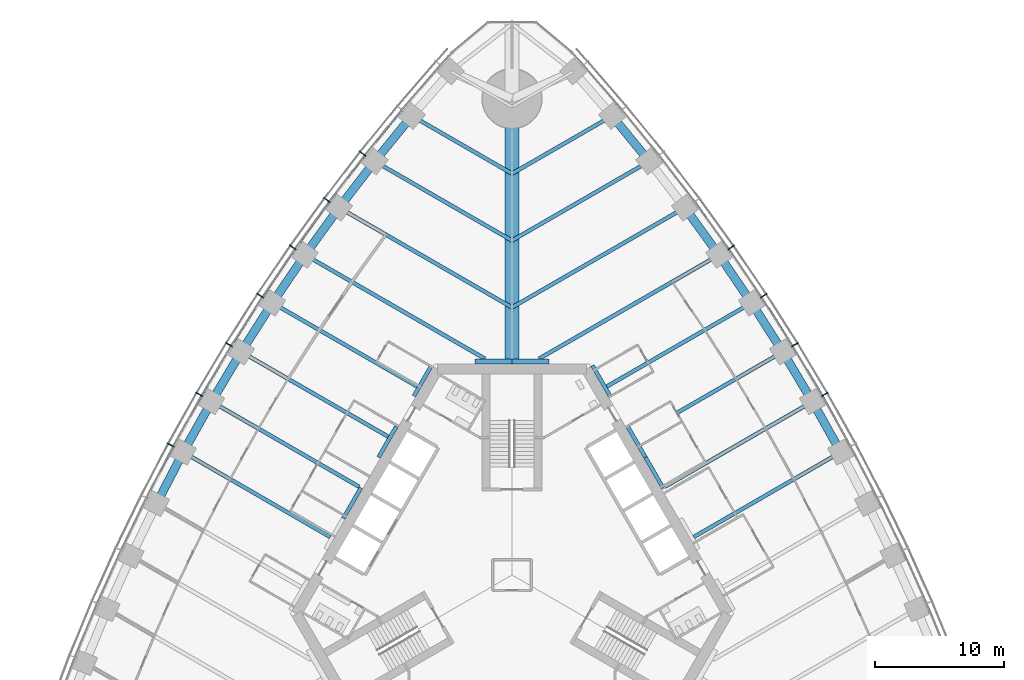
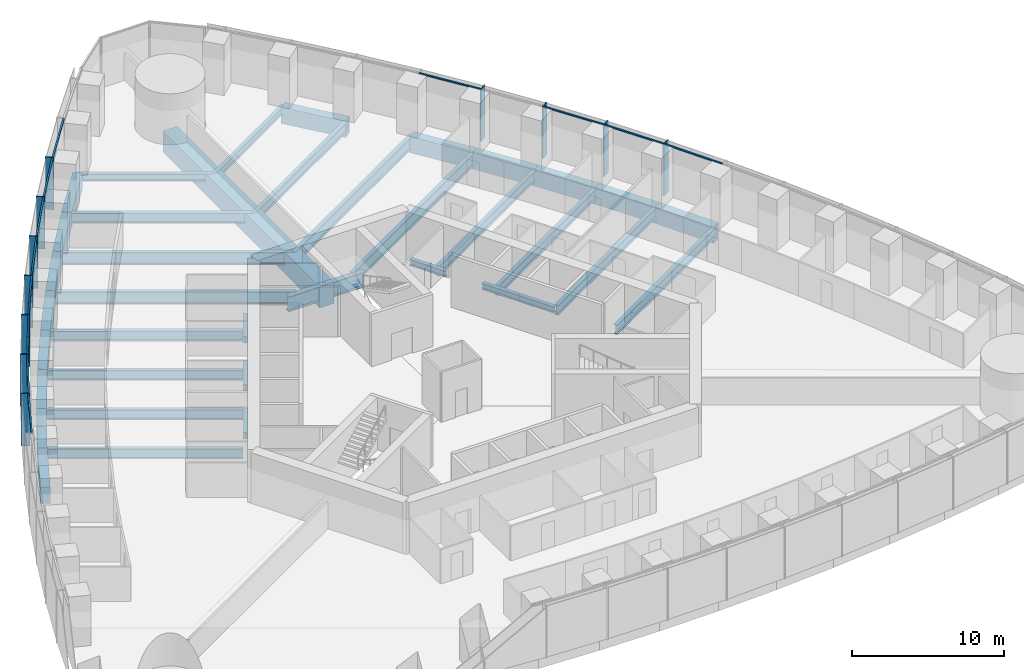
# One storey, part 4 of 19: 39 beams, 23 members, 2 elements without a shape of their own.
"""IFC4 building model written with IfcOpenShell, lengths in metres."""

from ifc_helpers import new_model, si_unit, direction, frame, origin, origin_2d, place, context, subcontext, project, spatial, rectangle, i_section, extrude, material, material_profile, profile_set, type_object, element, aggregate, save


model = new_model("IFC4")

# Units and contexts
model_context = context("Model", 3, precision=1e-05, world=origin(), true_north=direction((0.0, 1.0)))
body_context = subcontext(model_context, "Body", "Model", "MODEL_VIEW")
ifc_project = project(units=[si_unit("LENGTHUNIT", "METRE"), si_unit("AREAUNIT", "SQUARE_METRE"), si_unit("VOLUMEUNIT", "CUBIC_METRE"), si_unit("PLANEANGLEUNIT", "RADIAN"), si_unit("MASSUNIT", "GRAM", prefix="KILO")], contexts=[model_context])

# Site, building, storey
site_placement = place(None, origin())
site = spatial("IfcSite", under=ifc_project, at=site_placement, CompositionType="ELEMENT")
building_placement = place(site_placement, origin())
building = spatial("IfcBuilding", under=site, at=building_placement, Name="Trefoil Bronze Tower", CompositionType="ELEMENT")
storey_placement = place(building_placement, frame((0.0, 0.0, 20.699951171875)))
storey = spatial("IfcBuildingStorey", under=building, at=storey_placement, Name="L04", CompositionType="ELEMENT", Elevation=20.699951171875)

# Curtain wall, members
ifc_material_1 = material(Name="Tinted solar-control glass", Category="glass")
curtain_wall_type = type_object("IfcCurtainWallType", Name="Bronze office curtain wall", PredefinedType="USERDEFINED", material=ifc_material_1)
curtain_wall_1_placement = place(storey_placement, origin())
curtain_wall_1 = element("IfcCurtainWall", 1, at=curtain_wall_1_placement, inside=storey, type_object=curtain_wall_type, Name="CW-A L04 F2", ObjectType="CURTAIN WALL", PredefinedType="USERDEFINED")
ifc_material_2 = material(Name="Bronze-finish aluminium", Category="aluminium")
ifc_material_profile_1 = material_profile(ifc_material_2, rectangle(XDim=0.60009765625, YDim=0.080078125, at=origin_2d()), Name="CW-A mullion")
ifc_profile_set_1 = profile_set([ifc_material_profile_1], Name="Bronze-finish aluminium")
member_type_1 = type_object("IfcMemberType", Name="Bronze office curtain wall mullion", PredefinedType="MULLION", material=ifc_profile_set_1)
member_1_placement = place(storey_placement, frame((24.291015625, 14.0244140625, 0.0), z_axis=(0.0, 0.0, 1.0), x_axis=(-0.866025403784, -0.5, 0.0)))
member_1 = element("IfcMember", 2, at=member_1_placement, type_object=member_type_1, Name="CW-A L04 F2 mullion 9", PredefinedType="MULLION", context=body_context, shape_type="SweptSolid", body=[
    extrude(rectangle(XDim=0.60009765625, YDim=0.080078125, at=origin_2d()), origin(), (0.0, 0.0, 1.0), 4.179931640625),
])
member_2_placement = place(storey_placement, frame((21.97998046875, 17.896240234375, 0.0), z_axis=(0.0, 0.0, 1.0), x_axis=(-0.851149783004, -0.524922896141, 0.0)))
member_2 = element("IfcMember", 3, at=member_2_placement, type_object=member_type_1, Name="CW-A L04 F2 mullion 10", PredefinedType="MULLION", context=body_context, shape_type="SweptSolid", body=[
    extrude(rectangle(XDim=0.60009765625, YDim=0.080078125, at=origin_2d()), origin(), (0.0, 0.0, 1.0), 4.179931640625),
])
member_3_placement = place(storey_placement, frame((19.555419921875, 21.70263671875, 0.0), z_axis=(0.0, 0.0, 1.0), x_axis=(-0.835543651684, -0.549424067665, 0.0)))
member_3 = element("IfcMember", 4, at=member_3_placement, type_object=member_type_1, Name="CW-A L04 F2 mullion 11", PredefinedType="MULLION", context=body_context, shape_type="SweptSolid", body=[
    extrude(rectangle(XDim=0.60009765625, YDim=0.080078125, at=origin_2d()), origin(), (0.0, 0.0, 1.0), 4.179931640625),
])
member_4_placement = place(storey_placement, frame((17.01708984375, 25.443359375, 0.0), z_axis=(0.0, 0.0, 1.0), x_axis=(-0.819204207116, -0.573501932903, 0.0)))
member_4 = element("IfcMember", 5, at=member_4_placement, type_object=member_type_1, Name="CW-A L04 F2 mullion 12", PredefinedType="MULLION", context=body_context, shape_type="SweptSolid", body=[
    extrude(rectangle(XDim=0.60009765625, YDim=0.080078125, at=origin_2d()), origin(), (0.0, 0.0, 1.0), 4.179931640625),
])

curtain_wall_2_placement = place(storey_placement, origin())
curtain_wall_2 = element("IfcCurtainWall", 6, at=curtain_wall_2_placement, inside=storey, type_object=curtain_wall_type, Name="CW-A L04 F3", ObjectType="CURTAIN WALL", PredefinedType="USERDEFINED")
member_5_placement = place(storey_placement, frame((-11.595458984375, 32.7255859375, 0.0), z_axis=(0.0, 0.0, 1.0), x_axis=(0.784304615744, -0.620375910011, 0.0)))
member_5 = element("IfcMember", 7, at=member_5_placement, type_object=member_type_1, Name="CW-A L04 F3 mullion 4", PredefinedType="MULLION", context=body_context, shape_type="SweptSolid", body=[
    extrude(rectangle(XDim=0.60009765625, YDim=0.080078125, at=origin_2d()), origin(), (0.0, 0.0, 1.0), 4.179931640625),
])
member_6_placement = place(storey_placement, frame((-14.364013671875, 29.117919921875, 0.0), z_axis=(0.0, 0.0, 1.0), x_axis=(0.802126748469, -0.59715381552, 0.0)))
member_6 = element("IfcMember", 8, at=member_6_placement, type_object=member_type_1, Name="CW-A L04 F3 mullion 5", PredefinedType="MULLION", context=body_context, shape_type="SweptSolid", body=[
    extrude(rectangle(XDim=0.60009765625, YDim=0.080078125, at=origin_2d()), origin(), (0.0, 0.0, 1.0), 4.179931640625),
])
member_7_placement = place(storey_placement, frame((-17.01708984375, 25.443359375, 0.0), z_axis=(0.0, 0.0, 1.0), x_axis=(0.819204207116, -0.573501932903, 0.0)))
member_7 = element("IfcMember", 9, at=member_7_placement, type_object=member_type_1, Name="CW-A L04 F3 mullion 6", PredefinedType="MULLION", context=body_context, shape_type="SweptSolid", body=[
    extrude(rectangle(XDim=0.60009765625, YDim=0.080078125, at=origin_2d()), origin(), (0.0, 0.0, 1.0), 4.179931640625),
])
member_8_placement = place(storey_placement, frame((-19.555419921875, 21.70263671875, 0.0), z_axis=(0.0, 0.0, 1.0), x_axis=(0.835543651684, -0.549424067665, 0.0)))
member_8 = element("IfcMember", 10, at=member_8_placement, type_object=member_type_1, Name="CW-A L04 F3 mullion 7", PredefinedType="MULLION", context=body_context, shape_type="SweptSolid", body=[
    extrude(rectangle(XDim=0.60009765625, YDim=0.080078125, at=origin_2d()), origin(), (0.0, 0.0, 1.0), 4.179931640625),
])
member_9_placement = place(storey_placement, frame((-21.97998046875, 17.896240234375, 0.0), z_axis=(0.0, 0.0, 1.0), x_axis=(0.851149783004, -0.524922896141, 0.0)))
member_9 = element("IfcMember", 11, at=member_9_placement, type_object=member_type_1, Name="CW-A L04 F3 mullion 8", PredefinedType="MULLION", context=body_context, shape_type="SweptSolid", body=[
    extrude(rectangle(XDim=0.60009765625, YDim=0.080078125, at=origin_2d()), origin(), (0.0, 0.0, 1.0), 4.179931640625),
])
member_10_placement = place(storey_placement, frame((-24.291015625, 14.0244140625, 0.0), z_axis=(0.0, 0.0, 1.0), x_axis=(0.866025403784, -0.5, 0.0)))
member_10 = element("IfcMember", 12, at=member_10_placement, type_object=member_type_1, Name="CW-A L04 F3 mullion 9", PredefinedType="MULLION", context=body_context, shape_type="SweptSolid", body=[
    extrude(rectangle(XDim=0.60009765625, YDim=0.080078125, at=origin_2d()), origin(), (0.0, 0.0, 1.0), 4.179931640625),
])
member_11_placement = place(storey_placement, frame((-26.488525390625, 10.0869140625, 0.0), z_axis=(0.0, 0.0, 1.0), x_axis=(0.880171454588, -0.474655886437, 0.0)))
member_11 = element("IfcMember", 13, at=member_11_placement, type_object=member_type_1, Name="CW-A L04 F3 mullion 10", PredefinedType="MULLION", context=body_context, shape_type="SweptSolid", body=[
    extrude(rectangle(XDim=0.60009765625, YDim=0.080078125, at=origin_2d()), origin(), (0.0, 0.0, 1.0), 4.179931640625),
])

# Member
ifc_material_3 = material(Name="Bronze-finish aluminium", Category="aluminium")
ifc_material_profile_2 = material_profile(ifc_material_3, rectangle(XDim=0.1201171875, YDim=0.10009765625, at=origin_2d()), Name="CW-A transom")
ifc_profile_set_2 = profile_set([ifc_material_profile_2], Name="Bronze-finish aluminium")
member_type_2 = type_object("IfcMemberType", Name="Bronze office curtain wall transom", PredefinedType="USERDEFINED", material=ifc_profile_set_2)
member_12_placement = place(storey_placement, frame((26.29248046875, 10.0283203125, 4.130126953125), z_axis=(-0.487400435348, 0.873178570295, 0.0), x_axis=(-0.873178570295, -0.487400435348, 0.0)))
member_12 = element("IfcMember", 14, at=member_12_placement, type_object=member_type_2, Name="CW-A L04 F2 transom 8", ObjectType="TRANSOM", PredefinedType="USERDEFINED", context=body_context, shape_type="SweptSolid", body=[
    extrude(rectangle(XDim=0.1201171875, YDim=0.10009765625, at=origin_2d()), origin(), (0.0, 0.0, 1.0), 4.42041015625),
])

member_13_placement = place(storey_placement, frame((24.096435546875, 13.9599609375, 4.130126953125), z_axis=(-0.512536988879, 0.858665147209, 0.0), x_axis=(-0.858665147209, -0.512536988879, 0.0)))
member_13 = element("IfcMember", 15, at=member_13_placement, type_object=member_type_2, Name="CW-A L04 F2 transom 9", ObjectType="TRANSOM", PredefinedType="USERDEFINED", context=body_context, shape_type="SweptSolid", body=[
    extrude(rectangle(XDim=0.1201171875, YDim=0.10009765625, at=origin_2d()), origin(), (0.0, 0.0, 1.0), 4.42041015625),
])

member_14_placement = place(storey_placement, frame((21.787353515625, 17.826171875, 4.130126953125), z_axis=(-0.537196807268, 0.843456928515, 0.0), x_axis=(-0.843456928515, -0.537196807268, 0.0)))
member_14 = element("IfcMember", 16, at=member_14_placement, type_object=member_type_2, Name="CW-A L04 F2 transom 10", ObjectType="TRANSOM", PredefinedType="USERDEFINED", context=body_context, shape_type="SweptSolid", body=[
    extrude(rectangle(XDim=0.1201171875, YDim=0.10009765625, at=origin_2d()), origin(), (0.0, 0.0, 1.0), 4.42431640625),
])

member_15_placement = place(storey_placement, frame((16.828857421875, 25.3623046875, 4.130126953125), z_axis=(-0.585378207433, 0.81076035563, 0.0), x_axis=(-0.81076035563, -0.585378207433, 0.0)))
member_15 = element("IfcMember", 17, at=member_15_placement, type_object=member_type_2, Name="CW-A L04 F2 transom 12", ObjectType="TRANSOM", PredefinedType="USERDEFINED", context=body_context, shape_type="SweptSolid", body=[
    extrude(rectangle(XDim=0.1201171875, YDim=0.10009765625, at=origin_2d()), origin(), (0.0, 0.0, 1.0), 4.443359375),
])

aggregate(curtain_wall_1, [member_1, member_2, member_3, member_4, member_12, member_13, member_14, member_15])

member_16_placement = place(storey_placement, frame((-8.582763671875, 36.10498046875, 4.130126953125), z_axis=(-0.631835540201, -0.775102477185, 0.0), x_axis=(0.775102477185, -0.631835540201, 0.0)))
member_16 = element("IfcMember", 18, at=member_16_placement, type_object=member_type_2, Name="CW-A L04 F3 transom 3", ObjectType="TRANSOM", PredefinedType="USERDEFINED", context=body_context, shape_type="SweptSolid", body=[
    extrude(rectangle(XDim=0.1201171875, YDim=0.10009765625, at=origin_2d()), origin(), (0.0, 0.0, 1.0), 4.478271484375),
])

member_17_placement = place(storey_placement, frame((-11.4638671875, 32.568603515625, 4.130126953125), z_axis=(-0.608829203216, -0.793301330713, 0.0), x_axis=(0.793301330713, -0.608829203216, 0.0)))
member_17 = element("IfcMember", 19, at=member_17_placement, type_object=member_type_2, Name="CW-A L04 F3 transom 4", ObjectType="TRANSOM", PredefinedType="USERDEFINED", context=body_context, shape_type="SweptSolid", body=[
    extrude(rectangle(XDim=0.1201171875, YDim=0.10009765625, at=origin_2d()), origin(), (0.0, 0.0, 1.0), 4.458740234375),
])

member_18_placement = place(storey_placement, frame((-14.227783203125, 28.96484375, 4.130126953125), z_axis=(-0.585378207433, -0.81076035563, 0.0), x_axis=(0.81076035563, -0.585378207433, 0.0)))
member_18 = element("IfcMember", 20, at=member_18_placement, type_object=member_type_2, Name="CW-A L04 F3 transom 5", ObjectType="TRANSOM", PredefinedType="USERDEFINED", context=body_context, shape_type="SweptSolid", body=[
    extrude(rectangle(XDim=0.1201171875, YDim=0.10009765625, at=origin_2d()), origin(), (0.0, 0.0, 1.0), 4.443359375),
])

member_19_placement = place(storey_placement, frame((-16.87646484375, 25.29443359375, 4.130126953125), z_axis=(-0.561508153923, -0.827471203775, 0.0), x_axis=(0.827471203775, -0.561508153923, 0.0)))
member_19 = element("IfcMember", 21, at=member_19_placement, type_object=member_type_2, Name="CW-A L04 F3 transom 6", ObjectType="TRANSOM", PredefinedType="USERDEFINED", context=body_context, shape_type="SweptSolid", body=[
    extrude(rectangle(XDim=0.1201171875, YDim=0.10009765625, at=origin_2d()), origin(), (0.0, 0.0, 1.0), 4.431884765625),
])

member_20_placement = place(storey_placement, frame((-19.41064453125, 21.557861328125, 4.130126953125), z_axis=(-0.537196807268, -0.843456928515, 0.0), x_axis=(0.843456928515, -0.537196807268, 0.0)))
member_20 = element("IfcMember", 22, at=member_20_placement, type_object=member_type_2, Name="CW-A L04 F3 transom 7", ObjectType="TRANSOM", PredefinedType="USERDEFINED", context=body_context, shape_type="SweptSolid", body=[
    extrude(rectangle(XDim=0.1201171875, YDim=0.10009765625, at=origin_2d()), origin(), (0.0, 0.0, 1.0), 4.42431640625),
])

member_21_placement = place(storey_placement, frame((-21.830810546875, 17.755615234375, 4.130126953125), z_axis=(-0.512536988879, -0.858665147209, 0.0), x_axis=(0.858665147209, -0.512536988879, 0.0)))
member_21 = element("IfcMember", 23, at=member_21_placement, type_object=member_type_2, Name="CW-A L04 F3 transom 8", ObjectType="TRANSOM", PredefinedType="USERDEFINED", context=body_context, shape_type="SweptSolid", body=[
    extrude(rectangle(XDim=0.1201171875, YDim=0.10009765625, at=origin_2d()), origin(), (0.0, 0.0, 1.0), 4.42041015625),
])

member_22_placement = place(storey_placement, frame((-24.137939453125, 13.88818359375, 4.130126953125), z_axis=(-0.487400435348, -0.873178570295, 0.0), x_axis=(0.873178570295, -0.487400435348, 0.0)))
member_22 = element("IfcMember", 24, at=member_22_placement, type_object=member_type_2, Name="CW-A L04 F3 transom 9", ObjectType="TRANSOM", PredefinedType="USERDEFINED", context=body_context, shape_type="SweptSolid", body=[
    extrude(rectangle(XDim=0.1201171875, YDim=0.10009765625, at=origin_2d()), origin(), (0.0, 0.0, 1.0), 4.42041015625),
])

member_23_placement = place(storey_placement, frame((-26.331787109375, 9.955322265625, 4.130126953125), z_axis=(-0.461809621225, -0.886979071762, 0.0), x_axis=(0.886979071762, -0.461809621225, 0.0)))
member_23 = element("IfcMember", 25, at=member_23_placement, type_object=member_type_2, Name="CW-A L04 F3 transom 10", ObjectType="TRANSOM", PredefinedType="USERDEFINED", context=body_context, shape_type="SweptSolid", body=[
    extrude(rectangle(XDim=0.1201171875, YDim=0.10009765625, at=origin_2d()), origin(), (0.0, 0.0, 1.0), 4.42431640625),
])

aggregate(curtain_wall_2, [member_5, member_6, member_7, member_8, member_9, member_10, member_11, member_16, member_17, member_18, member_19, member_20, member_21, member_22, member_23])

# Beams
ifc_material_4 = material(Name="Steel C355", Category="steel")
ifc_material_profile_3 = material_profile(ifc_material_4, i_section(OverallWidth=0.300048828125, OverallDepth=0.5, WebThickness=0.014404296875, FlangeThickness=0.028076171875, FilletRadius=0.027099609375, at=origin_2d()), Name="HEB 500")
ifc_profile_set_3 = profile_set([ifc_material_profile_3], Name="Steel C355")
beam_type_1 = type_object("IfcBeamType", Name="Core seat beam HEB 500", PredefinedType="BEAM", material=ifc_profile_set_3)
for number, where, z_axis, x_axis, name in (
    (26, (11.734619140625, 6.77490234375, -0.449951171875), (-0.499969057507, 0.866043267704, 0.0), (-0.866043267704, -0.499969057507, 0.0), "Core seat beam F2/+0 L04"),
    (27, (10.363525390625, 9.14990234375, -0.449951171875), (-0.500035825175, 0.866004719122, 0.0), (-0.866004719122, -0.500035825175, 0.0), "Core seat beam F2/+1 L04"),
    (28, (7.62109375, 13.89990234375, -0.449951171875), (-0.500035825175, 0.866004719122, 0.0), (-0.866004719122, -0.500035825175, 0.0), "Core seat beam F2/+2 L04"),
    (29, (-6.249755859375, 16.27490234375, -0.449951171875), (-0.500035825175, -0.866004719122, 0.0), (0.866004719122, -0.500035825175, 0.0), "Core seat beam F3/-2 L04"),
    (30, (-8.9921875, 11.52490234375, -0.449951171875), (-0.500035825175, -0.866004719122, 0.0), (0.866004719122, -0.500035825175, 0.0), "Core seat beam F3/-1 L04"),
    (31, (-11.734619140625, 6.77490234375, -0.449951171875), (-0.500035825175, -0.866004719122, 0.0), (0.866004719122, -0.500035825175, 0.0), "Core seat beam F3/+0 L04"),
):
    element("IfcBeam", number, at=place(storey_placement, frame(where, z_axis=z_axis, x_axis=x_axis)), inside=storey, type_object=beam_type_1, Name=name, PredefinedType="BEAM", context=body_context, shape_type="SweptSolid", body=[
        extrude(i_section(OverallWidth=0.300048828125, OverallDepth=0.5, WebThickness=0.014404296875, FlangeThickness=0.028076171875, FilletRadius=0.027099609375, at=origin_2d()), origin(), (0.0, 0.0, 1.0), 2.742431640625),
    ])
ifc_material_5 = material(Name="Steel C355", Category="steel")
ifc_material_profile_4 = material_profile(ifc_material_5, i_section(OverallWidth=0.39990234375, OverallDepth=1.199951171875, WebThickness=0.02001953125, FlangeThickness=0.0400390625, FilletRadius=0.010009765625, at=origin_2d()), Name="WPG 1200")
ifc_profile_set_4 = profile_set([ifc_material_profile_4], Name="Steel C355")
beam_type_2 = type_object("IfcBeamType", Name="Core seat beam WPG 1200", PredefinedType="BEAM", material=ifc_profile_set_4)
for number, where, z_axis, x_axis, name in (
    (32, (2.88671875, 16.60009765625, -0.800048828125), (-1.0, 0.0, 0.0), (0.0, -1.0, 0.0), "Core seat beam F2/+3 L04"),
    (33, (0.0, 16.60009765625, -0.800048828125), (-1.0, 0.0, 0.0), (0.0, -1.0, 0.0), "Core seat beam F3/-3 L04"),
):
    element("IfcBeam", number, at=place(storey_placement, frame(where, z_axis=z_axis, x_axis=x_axis)), inside=storey, type_object=beam_type_2, Name=name, PredefinedType="BEAM", context=body_context, shape_type="SweptSolid", body=[
        extrude(i_section(OverallWidth=0.39990234375, OverallDepth=1.199951171875, WebThickness=0.02001953125, FlangeThickness=0.0400390625, FilletRadius=0.010009765625, at=origin_2d()), origin(), (0.0, 0.0, 1.0), 2.88671875),
    ])
ifc_material_6 = material(Name="Concrete B80", Category="concrete")
ifc_material_profile_5 = material_profile(ifc_material_6, rectangle(XDim=1.10009765625, YDim=1.699951171875, at=origin_2d()), Name="RC 1100x1700")
ifc_profile_set_5 = profile_set([ifc_material_profile_5], Name="Concrete B80")
beam_type_3 = type_object("IfcBeamType", Name="Corner girder RC 1100x1700", PredefinedType="BEAM", material=ifc_profile_set_5)
beam_1_placement = place(storey_placement, frame((0.0, 16.39990234375, -1.050048828125), z_axis=(0.0, 1.0, 0.0), x_axis=(-1.0, 0.0, 0.0)))
element("IfcBeam", 34, at=beam_1_placement, inside=storey, type_object=beam_type_3, Name="Corner girder K2 L04", PredefinedType="BEAM", context=body_context, shape_type="SweptSolid", body=[
    extrude(rectangle(XDim=1.10009765625, YDim=1.699951171875, at=origin_2d()), origin(), (0.0, 0.0, 1.0), 20.60009765625),
])
ifc_material_7 = material(Name="Steel C355", Category="steel")
ifc_material_profile_6 = material_profile(ifc_material_7, i_section(OverallWidth=0.300048828125, OverallDepth=0.590087890625, WebThickness=0.012939453125, FlangeThickness=0.02490234375, FilletRadius=0.027099609375, at=origin_2d()), Name="HEA 600")
ifc_profile_set_6 = profile_set([ifc_material_profile_6], Name="Steel C355")
beam_type_4 = type_object("IfcBeamType", Name="Floor beam HEA 600", PredefinedType="BEAM", material=ifc_profile_set_6)
for number, where, z_axis, x_axis, name in (
    (35, (7.7763671875, 35.666748046875, -0.494873046875), (-0.866022587327, -0.500004878216, 0.0), (0.500004878216, -0.866022587327, 0.0), "Floor beam F2/+6 L04"),
    (36, (-7.7763671875, 35.666748046875, -0.494873046875), (0.866022587327, -0.500004878216, 0.0), (0.500004878216, 0.866022587327, 0.0), "Floor beam F3/-6 L04"),
):
    element("IfcBeam", number, at=place(storey_placement, frame(where, z_axis=z_axis, x_axis=x_axis)), inside=storey, type_object=beam_type_4, Name=name, PredefinedType="BEAM", context=body_context, shape_type="SweptSolid", body=[
        extrude(i_section(OverallWidth=0.300048828125, OverallDepth=0.590087890625, WebThickness=0.012939453125, FlangeThickness=0.02490234375, FilletRadius=0.027099609375, at=origin_2d()), origin(), (0.0, 0.0, 1.0), 8.9794921875),
    ])
ifc_material_8 = material(Name="Steel C355", Category="steel")
ifc_material_profile_7 = material_profile(ifc_material_8, i_section(OverallWidth=0.300048828125, OverallDepth=1.0, WebThickness=0.01904296875, FlangeThickness=0.035888671875, FilletRadius=0.030029296875, at=origin_2d()), Name="HEB 1000")
ifc_profile_set_7 = profile_set([ifc_material_profile_7], Name="Steel C355")
beam_type_5 = type_object("IfcBeamType", Name="Floor beam HEB 1000", PredefinedType="BEAM", material=ifc_profile_set_7)
for number, where, z_axis, x_axis, name in (
    (37, (13.42578125, 28.5361328125, -0.699951171875), (-0.866022989816, -0.500004181093, 0.0), (0.500004181093, -0.866022989816, 0.0), "Floor beam F2/+4 L04"),
    (38, (-13.42578125, 28.5361328125, -0.699951171875), (0.866022989816, -0.500004181093, 0.0), (0.500004181093, 0.866022989816, 0.0), "Floor beam F3/-4 L04"),
):
    element("IfcBeam", number, at=place(storey_placement, frame(where, z_axis=z_axis, x_axis=x_axis)), inside=storey, type_object=beam_type_5, Name=name, PredefinedType="BEAM", context=body_context, shape_type="SweptSolid", body=[
        extrude(i_section(OverallWidth=0.300048828125, OverallDepth=1.0, WebThickness=0.01904296875, FlangeThickness=0.035888671875, FilletRadius=0.030029296875, at=origin_2d()), origin(), (0.0, 0.0, 1.0), 15.502685546875),
    ])
ifc_material_9 = material(Name="Steel C355", Category="steel")
ifc_material_profile_8 = material_profile(ifc_material_9, i_section(OverallWidth=0.300048828125, OverallDepth=0.800048828125, WebThickness=0.017578125, FlangeThickness=0.032958984375, FilletRadius=0.030029296875, at=origin_2d()), Name="HEB 800")
ifc_profile_set_8 = profile_set([ifc_material_profile_8], Name="Steel C355")
beam_type_6 = type_object("IfcBeamType", Name="Floor beam HEB 800", PredefinedType="BEAM", material=ifc_profile_set_8)
beam_2_placement = place(storey_placement, frame((25.531494140625, 9.54443359375, -0.599853515625), z_axis=(-0.866027071639, -0.499997111179, 0.0), x_axis=(0.499997111179, -0.866027071639, 0.0)))
element("IfcBeam", 39, at=beam_2_placement, inside=storey, type_object=beam_type_6, Name="Floor beam F2/-1 L04", PredefinedType="BEAM", context=body_context, shape_type="SweptSolid", body=[
    extrude(i_section(OverallWidth=0.300048828125, OverallDepth=0.800048828125, WebThickness=0.017578125, FlangeThickness=0.032958984375, FilletRadius=0.030029296875, at=origin_2d()), origin(), (0.0, 0.0, 1.0), 13.18310546875),
])
beam_3_placement = place(storey_placement, frame((23.33837890625, 13.474365234375, -0.599853515625), z_axis=(-0.866031233401, -0.499989902672, 0.0), x_axis=(0.499989902672, -0.866031233401, 0.0)))
element("IfcBeam", 40, at=beam_3_placement, inside=storey, type_object=beam_type_6, Name="Floor beam F2/+0 L04", PredefinedType="BEAM", context=body_context, shape_type="SweptSolid", body=[
    extrude(i_section(OverallWidth=0.300048828125, OverallDepth=0.800048828125, WebThickness=0.017578125, FlangeThickness=0.032958984375, FilletRadius=0.030029296875, at=origin_2d()), origin(), (0.0, 0.0, 1.0), 13.248779296875),
])
beam_4_placement = place(storey_placement, frame((21.031494140625, 17.338623046875, -0.599853515625), z_axis=(-0.866027071639, -0.499997111179, 0.0), x_axis=(0.499997111179, -0.866027071639, 0.0)))
element("IfcBeam", 41, at=beam_4_placement, inside=storey, type_object=beam_type_6, Name="Floor beam F2/+1 L04", PredefinedType="BEAM", context=body_context, shape_type="SweptSolid", body=[
    extrude(i_section(OverallWidth=0.300048828125, OverallDepth=0.800048828125, WebThickness=0.017578125, FlangeThickness=0.032958984375, FilletRadius=0.030029296875, at=origin_2d()), origin(), (0.0, 0.0, 1.0), 13.18310546875),
])
beam_5_placement = place(storey_placement, frame((18.61083984375, 21.13720703125, -0.599853515625), z_axis=(-0.866030615021, -0.499990973765, 0.0), x_axis=(0.499990973765, -0.866030615021, 0.0)))
element("IfcBeam", 42, at=beam_5_placement, inside=storey, type_object=beam_type_6, Name="Floor beam F2/+2 L04", PredefinedType="BEAM", context=body_context, shape_type="SweptSolid", body=[
    extrude(i_section(OverallWidth=0.300048828125, OverallDepth=0.800048828125, WebThickness=0.017578125, FlangeThickness=0.032958984375, FilletRadius=0.030029296875, at=origin_2d()), origin(), (0.0, 0.0, 1.0), 12.986083984375),
])
for number, where, z_axis, x_axis, name in (
    (43, (10.659912109375, 32.13525390625, -0.599853515625), (-0.866024070878, -0.500002308654, 0.0), (0.500002308654, -0.866024070878, 0.0), "Floor beam F2/+5 L04"),
    (44, (-10.659912109375, 32.13525390625, -0.599853515625), (0.866024070878, -0.500002308654, 0.0), (0.500002308654, 0.866024070878, 0.0), "Floor beam F3/-5 L04"),
):
    element("IfcBeam", number, at=place(storey_placement, frame(where, z_axis=z_axis, x_axis=x_axis)), inside=storey, type_object=beam_type_6, Name=name, PredefinedType="BEAM", context=body_context, shape_type="SweptSolid", body=[
        extrude(i_section(OverallWidth=0.300048828125, OverallDepth=0.800048828125, WebThickness=0.017578125, FlangeThickness=0.032958984375, FilletRadius=0.030029296875, at=origin_2d()), origin(), (0.0, 0.0, 1.0), 12.30908203125),
    ])
beam_6_placement = place(storey_placement, frame((-18.61083984375, 21.13720703125, -0.599853515625), z_axis=(0.866030615021, -0.499990973765, 0.0), x_axis=(0.499990973765, 0.866030615021, 0.0)))
element("IfcBeam", 45, at=beam_6_placement, inside=storey, type_object=beam_type_6, Name="Floor beam F3/-2 L04", PredefinedType="BEAM", context=body_context, shape_type="SweptSolid", body=[
    extrude(i_section(OverallWidth=0.300048828125, OverallDepth=0.800048828125, WebThickness=0.017578125, FlangeThickness=0.032958984375, FilletRadius=0.030029296875, at=origin_2d()), origin(), (0.0, 0.0, 1.0), 12.986083984375),
])
beam_7_placement = place(storey_placement, frame((-21.031494140625, 17.338623046875, -0.599853515625), z_axis=(0.866027071639, -0.499997111179, 0.0), x_axis=(0.499997111179, 0.866027071639, 0.0)))
element("IfcBeam", 46, at=beam_7_placement, inside=storey, type_object=beam_type_6, Name="Floor beam F3/-1 L04", PredefinedType="BEAM", context=body_context, shape_type="SweptSolid", body=[
    extrude(i_section(OverallWidth=0.300048828125, OverallDepth=0.800048828125, WebThickness=0.017578125, FlangeThickness=0.032958984375, FilletRadius=0.030029296875, at=origin_2d()), origin(), (0.0, 0.0, 1.0), 13.18310546875),
])
beam_8_placement = place(storey_placement, frame((-23.33837890625, 13.474365234375, -0.599853515625), z_axis=(0.866031233401, -0.499989902672, 0.0), x_axis=(0.499989902672, 0.866031233401, 0.0)))
element("IfcBeam", 47, at=beam_8_placement, inside=storey, type_object=beam_type_6, Name="Floor beam F3/+0 L04", PredefinedType="BEAM", context=body_context, shape_type="SweptSolid", body=[
    extrude(i_section(OverallWidth=0.300048828125, OverallDepth=0.800048828125, WebThickness=0.017578125, FlangeThickness=0.032958984375, FilletRadius=0.030029296875, at=origin_2d()), origin(), (0.0, 0.0, 1.0), 13.248779296875),
])
beam_9_placement = place(storey_placement, frame((-25.531494140625, 9.54443359375, -0.599853515625), z_axis=(0.866027071639, -0.499997111179, 0.0), x_axis=(0.499997111179, 0.866027071639, 0.0)))
element("IfcBeam", 48, at=beam_9_placement, inside=storey, type_object=beam_type_6, Name="Floor beam F3/+1 L04", PredefinedType="BEAM", context=body_context, shape_type="SweptSolid", body=[
    extrude(i_section(OverallWidth=0.300048828125, OverallDepth=0.800048828125, WebThickness=0.017578125, FlangeThickness=0.032958984375, FilletRadius=0.030029296875, at=origin_2d()), origin(), (0.0, 0.0, 1.0), 13.18310546875),
])
ifc_material_10 = material(Name="Steel C355", Category="steel")
ifc_material_profile_9 = material_profile(ifc_material_10, i_section(OverallWidth=0.302001953125, OverallDepth=1.008056640625, WebThickness=0.02099609375, FlangeThickness=0.0400390625, FilletRadius=0.030029296875, at=origin_2d()), Name="HEM 1000")
ifc_profile_set_9 = profile_set([ifc_material_profile_9], Name="Steel C355")
beam_type_7 = type_object("IfcBeamType", Name="Floor beam HEM 1000", PredefinedType="BEAM", material=ifc_profile_set_9)
for number, where, z_axis, x_axis, name in (
    (49, (16.075927734375, 24.869873046875, -0.703857421875), (-0.866028401131, -0.499994808408, 0.0), (0.499994808408, -0.866028401131, 0.0), "Floor beam F2/+3 L04"),
    (50, (-16.075927734375, 24.869873046875, -0.703857421875), (0.866028401131, -0.499994808408, 0.0), (0.499994808408, 0.866028401131, 0.0), "Floor beam F3/-3 L04"),
):
    element("IfcBeam", number, at=place(storey_placement, frame(where, z_axis=z_axis, x_axis=x_axis)), inside=storey, type_object=beam_type_7, Name=name, PredefinedType="BEAM", context=body_context, shape_type="SweptSolid", body=[
        extrude(i_section(OverallWidth=0.302001953125, OverallDepth=1.008056640625, WebThickness=0.02099609375, FlangeThickness=0.0400390625, FilletRadius=0.030029296875, at=origin_2d()), origin(), (0.0, 0.0, 1.0), 16.139892578125),
    ])
ifc_material_11 = material(Name="Concrete B80", Category="concrete")
ifc_material_profile_10 = material_profile(ifc_material_11, rectangle(XDim=0.64990234375, YDim=1.300048828125, at=origin_2d()), Name="RC 650x1300")
ifc_profile_set_10 = profile_set([ifc_material_profile_10], Name="Concrete B80")
beam_type_8 = type_object("IfcBeamType", Name="Spandrel beam RC 650x1300", PredefinedType="SPANDREL", material=ifc_profile_set_10)
for number, where, z_axis, x_axis, name in (
    (51, (25.531494140625, 9.54443359375, -0.849853515625), (-0.487309404804, 0.873229376504, 0.0), (-0.873229376504, -0.487309404804, 0.0), "Spandrel F2.8 L04"),
    (52, (23.33837890625, 13.474365234375, -0.849853515625), (-0.512587831591, 0.858634797166, 0.0), (-0.858634797166, -0.512587831591, 0.0), "Spandrel F2.9 L04"),
):
    element("IfcBeam", number, at=place(storey_placement, frame(where, z_axis=z_axis, x_axis=x_axis)), inside=storey, type_object=beam_type_8, Name=name, PredefinedType="SPANDREL", context=body_context, shape_type="SweptSolid", body=[
        extrude(rectangle(XDim=0.64990234375, YDim=1.300048828125, at=origin_2d()), origin(), (0.0, 0.0, 1.0), 4.50048828125),
    ])
beam_10_placement = place(storey_placement, frame((21.031494140625, 17.338623046875, -0.849853515625), z_axis=(-0.537408473305, 0.843322081307, 0.0), x_axis=(-0.843322081307, -0.537408473305, 0.0)))
element("IfcBeam", 53, at=beam_10_placement, inside=storey, type_object=beam_type_8, Name="Spandrel F2.10 L04", PredefinedType="SPANDREL", context=body_context, shape_type="SweptSolid", body=[
    extrude(rectangle(XDim=0.64990234375, YDim=1.300048828125, at=origin_2d()), origin(), (0.0, 0.0, 1.0), 4.50439453125),
])
beam_11_placement = place(storey_placement, frame((18.61083984375, 21.13720703125, -0.849853515625), z_axis=(-0.561809680291, 0.827266512758, 0.0), x_axis=(-0.827266512758, -0.561809680291, 0.0)))
element("IfcBeam", 54, at=beam_11_placement, inside=storey, type_object=beam_type_8, Name="Spandrel F2.11 L04", PredefinedType="SPANDREL", context=body_context, shape_type="SweptSolid", body=[
    extrude(rectangle(XDim=0.64990234375, YDim=1.300048828125, at=origin_2d()), origin(), (0.0, 0.0, 1.0), 4.511962890625),
])
beam_12_placement = place(storey_placement, frame((16.075927734375, 24.869873046875, -0.849853515625), z_axis=(-0.585823508301, 0.810438657223, 0.0), x_axis=(-0.810438657223, -0.585823508301, 0.0)))
element("IfcBeam", 55, at=beam_12_placement, inside=storey, type_object=beam_type_8, Name="Spandrel F2.12 L04", PredefinedType="SPANDREL", context=body_context, shape_type="SweptSolid", body=[
    extrude(rectangle(XDim=0.64990234375, YDim=1.300048828125, at=origin_2d()), origin(), (0.0, 0.0, 1.0), 4.523681640625),
])
for number, where, z_axis, x_axis, name in (
    (56, (10.659912109375, 32.13525390625, -0.849853515625), (-0.632467643363, 0.774586780225, 0.0), (-0.774586780225, -0.632467643363, 0.0), "Spandrel F2.14 L04"),
    (57, (-7.7763671875, 35.666748046875, -0.849853515625), (-0.632467643363, -0.774586780225, 0.0), (0.774586780225, -0.632467643363, 0.0), "Spandrel F3.3 L04"),
):
    element("IfcBeam", number, at=place(storey_placement, frame(where, z_axis=z_axis, x_axis=x_axis)), inside=storey, type_object=beam_type_8, Name=name, PredefinedType="SPANDREL", context=body_context, shape_type="SweptSolid", body=[
        extrude(rectangle(XDim=0.64990234375, YDim=1.300048828125, at=origin_2d()), origin(), (0.0, 0.0, 1.0), 4.55908203125),
    ])
beam_13_placement = place(storey_placement, frame((-10.659912109375, 32.13525390625, -0.849853515625), z_axis=(-0.609338992146, -0.792909826305, 0.0), x_axis=(0.792909826305, -0.609338992146, 0.0)))
element("IfcBeam", 58, at=beam_13_placement, inside=storey, type_object=beam_type_8, Name="Spandrel F3.4 L04", PredefinedType="SPANDREL", context=body_context, shape_type="SweptSolid", body=[
    extrude(rectangle(XDim=0.64990234375, YDim=1.300048828125, at=origin_2d()), origin(), (0.0, 0.0, 1.0), 4.5390625),
])
beam_14_placement = place(storey_placement, frame((-13.42578125, 28.5361328125, -0.849853515625), z_axis=(-0.585823508301, -0.810438657223, 0.0), x_axis=(0.810438657223, -0.585823508301, 0.0)))
element("IfcBeam", 59, at=beam_14_placement, inside=storey, type_object=beam_type_8, Name="Spandrel F3.5 L04", PredefinedType="SPANDREL", context=body_context, shape_type="SweptSolid", body=[
    extrude(rectangle(XDim=0.64990234375, YDim=1.300048828125, at=origin_2d()), origin(), (0.0, 0.0, 1.0), 4.523681640625),
])
beam_15_placement = place(storey_placement, frame((-16.075927734375, 24.869873046875, -0.849853515625), z_axis=(-0.561809680291, -0.827266512758, 0.0), x_axis=(0.827266512758, -0.561809680291, 0.0)))
element("IfcBeam", 60, at=beam_15_placement, inside=storey, type_object=beam_type_8, Name="Spandrel F3.6 L04", PredefinedType="SPANDREL", context=body_context, shape_type="SweptSolid", body=[
    extrude(rectangle(XDim=0.64990234375, YDim=1.300048828125, at=origin_2d()), origin(), (0.0, 0.0, 1.0), 4.511962890625),
])
beam_16_placement = place(storey_placement, frame((-18.61083984375, 21.13720703125, -0.849853515625), z_axis=(-0.537408473305, -0.843322081307, 0.0), x_axis=(0.843322081307, -0.537408473305, 0.0)))
element("IfcBeam", 61, at=beam_16_placement, inside=storey, type_object=beam_type_8, Name="Spandrel F3.7 L04", PredefinedType="SPANDREL", context=body_context, shape_type="SweptSolid", body=[
    extrude(rectangle(XDim=0.64990234375, YDim=1.300048828125, at=origin_2d()), origin(), (0.0, 0.0, 1.0), 4.50439453125),
])
for number, where, z_axis, x_axis, name in (
    (62, (-21.031494140625, 17.338623046875, -0.849853515625), (-0.512587831591, -0.858634797166, 0.0), (0.858634797166, -0.512587831591, 0.0), "Spandrel F3.8 L04"),
    (63, (-23.33837890625, 13.474365234375, -0.849853515625), (-0.487309404804, -0.873229376504, 0.0), (0.873229376504, -0.487309404804, 0.0), "Spandrel F3.9 L04"),
):
    element("IfcBeam", number, at=place(storey_placement, frame(where, z_axis=z_axis, x_axis=x_axis)), inside=storey, type_object=beam_type_8, Name=name, PredefinedType="SPANDREL", context=body_context, shape_type="SweptSolid", body=[
        extrude(rectangle(XDim=0.64990234375, YDim=1.300048828125, at=origin_2d()), origin(), (0.0, 0.0, 1.0), 4.50048828125),
    ])
beam_17_placement = place(storey_placement, frame((-25.531494140625, 9.54443359375, -0.849853515625), z_axis=(-0.461637716615, -0.887068553495, 0.0), x_axis=(0.887068553495, -0.461637716615, 0.0)))
element("IfcBeam", 64, at=beam_17_placement, inside=storey, type_object=beam_type_8, Name="Spandrel F3.10 L04", PredefinedType="SPANDREL", context=body_context, shape_type="SweptSolid", body=[
    extrude(rectangle(XDim=0.64990234375, YDim=1.300048828125, at=origin_2d()), origin(), (0.0, 0.0, 1.0), 4.50439453125),
])

save(model, "model.ifc")
